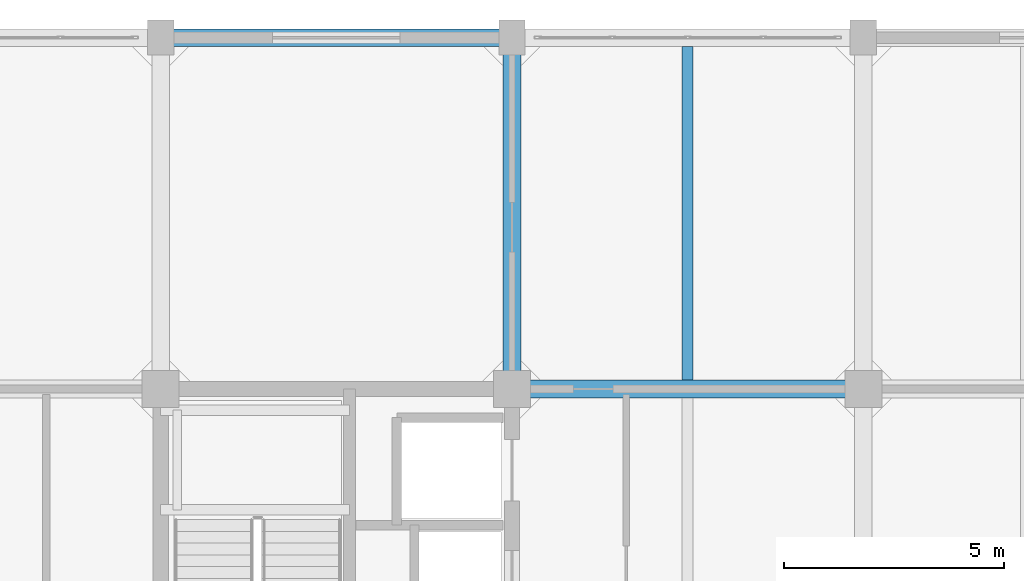
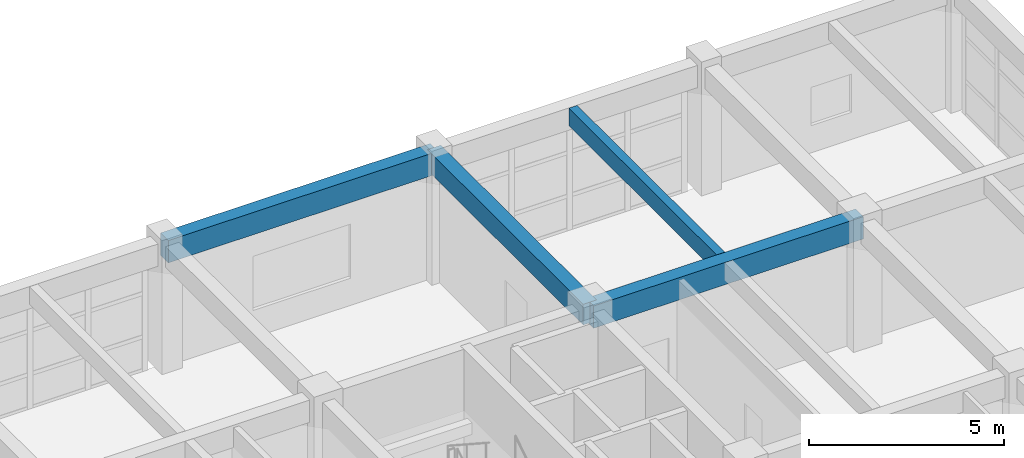
# One storey, part 16 of 27: 4 beams.
"""IFC4 building model written with IfcOpenShell, lengths in metres."""

import ifcopenshell
import ifcopenshell.guid

model = None  # the IFC model being written
_history = None  # IfcOwnerHistory: only IFC2X3 demands one
_inside = {}  # id of a spatial element -> (the spatial element, [elements in it])
_under = {}  # id of a project, library or spatial element -> (it, [spatial elements below it])
_declared = {}  # id of a project -> (the project, [libraries it declares])
_typed = {}  # id of a type object -> (the type object, [elements of that type])
_made_of = {}  # id of a material, layer set ... -> (it, [elements and type objects made of it])


def new_model(schema):
    """Start an empty IFC model of exactly this schema.

    Asked for "IFC4X3", IfcOpenShell would pick the latest addendum, in which some entities
    have other attributes; the version numbers below select the first issue.
    IFC2X3 requires an IfcOwnerHistory on every rooted entity: one is made here for all.
    """
    global model, _history
    if schema == "IFC4X3":
        model = ifcopenshell.file(schema_version=(4, 3, 0, 0))
    else:
        model = ifcopenshell.file(schema=schema)
    _inside.clear()
    _under.clear()
    _declared.clear()
    _typed.clear()
    _made_of.clear()
    _history = None
    if model.schema == "IFC2X3":
        org = make("IfcOrganization", Name="unknown")
        user = make(
            "IfcPersonAndOrganization",
            ThePerson=make("IfcPerson", FamilyName="unknown"),
            TheOrganization=org,
        )
        app = make(
            "IfcApplication",
            ApplicationDeveloper=org,
            Version="unknown",
            ApplicationFullName="unknown",
            ApplicationIdentifier="unknown",
        )
        _history = make(
            "IfcOwnerHistory",
            OwningUser=user,
            OwningApplication=app,
            ChangeAction="ADDED",
            CreationDate=0,
        )
    return model


def make(cls, **values):
    """One entity of the class cls with the attributes given. An attribute that is None is left unset."""
    return model.create_entity(
        cls, **{name: value for name, value in values.items() if value is not None}
    )


def rooted(cls, **values):
    """An entity with a GlobalId (a new one), such as an element, a storey or a relation."""
    return make(cls, GlobalId=ifcopenshell.guid.new(), OwnerHistory=_history, **values)


def si_unit(unit_type, name, prefix=None):
    """IfcSIUnit, for example si_unit("LENGTHUNIT", "METRE", prefix="MILLI")."""
    return make("IfcSIUnit", UnitType=unit_type, Prefix=prefix, Name=name)


def assignment(units):
    """IfcUnitAssignment: the units of a project."""
    return None if units is None else make("IfcUnitAssignment", Units=units)


def point(xyz):
    """IfcCartesianPoint."""
    return None if xyz is None else make("IfcCartesianPoint", Coordinates=xyz)


def direction(xyz):
    """IfcDirection."""
    return None if xyz is None else make("IfcDirection", DirectionRatios=xyz)


def frame(location, z_axis=None, x_axis=None):
    """IfcAxis2Placement3D, a coordinate frame: its origin and axes. An axis left out is left unset."""
    return make(
        "IfcAxis2Placement3D",
        Location=point(location),
        Axis=direction(z_axis),
        RefDirection=direction(x_axis),
    )


def frame_2d(location, x_axis=None):
    """IfcAxis2Placement2D, a coordinate frame in the plane: its origin and x axis."""
    return make(
        "IfcAxis2Placement2D", Location=point(location), RefDirection=direction(x_axis)
    )


def origin():
    """The frame at (0, 0, 0) with its axes left unset."""
    return frame((0.0, 0.0, 0.0))


def origin_2d():
    """The frame at (0, 0) in the plane with its x axis left unset."""
    return frame_2d((0.0, 0.0))


def place(relative_to, where):
    """IfcLocalPlacement: puts the frame where relative to a parent placement (None: the world)."""
    return make(
        "IfcLocalPlacement", PlacementRelTo=relative_to, RelativePlacement=where
    )


def context(
    kind, dimensions, precision=None, world=None, true_north=None, identifier=None
):
    """IfcGeometricRepresentationContext, for example the 3D "Model" context."""
    return make(
        "IfcGeometricRepresentationContext",
        ContextIdentifier=identifier,
        ContextType=kind,
        CoordinateSpaceDimension=dimensions,
        Precision=precision,
        WorldCoordinateSystem=world,
        TrueNorth=true_north,
    )


def subcontext(parent, identifier, kind, view, scale=None):
    """IfcGeometricRepresentationSubContext, for example "Body" below "Model"."""
    return make(
        "IfcGeometricRepresentationSubContext",
        ContextIdentifier=identifier,
        ContextType=kind,
        ParentContext=parent,
        TargetScale=scale,
        TargetView=view,
    )


def project(units=None, contexts=None):
    """IfcProject with its units and contexts."""
    return rooted(
        "IfcProject",
        Name="project",
        RepresentationContexts=contexts,
        UnitsInContext=assignment(units),
    )


def spatial(cls, under=None, at=None, **own):
    """A site, building, storey or space (cls), placed at a placement, below another one or the project."""
    s = rooted(cls, ObjectPlacement=at, **own)
    if under is not None:
        _under.setdefault(under.id(), (under, []))[1].append(s)
    return s


def profile(cls, at=None, kind="AREA", **sizes):
    """A parametric profile (cls). Its sizes go by their IFC names, for example OverallWidth=200.0."""
    return make(cls, ProfileType=kind, Position=at, **sizes)


def rectangle(**sizes):
    """IfcRectangleProfileDef."""
    return profile("IfcRectangleProfileDef", **sizes)


def extrude(swept, where, along, depth):
    """IfcExtrudedAreaSolid: the profile swept, set in the frame where, extruded along a direction by depth."""
    return make(
        "IfcExtrudedAreaSolid",
        SweptArea=swept,
        Position=where,
        ExtrudedDirection=direction(along),
        Depth=depth,
    )


def shape(context_of_items, identifier, shape_type, items):
    """IfcShapeRepresentation: the items that make up one representation, for example the "Body"."""
    return make(
        "IfcShapeRepresentation",
        ContextOfItems=context_of_items,
        RepresentationIdentifier=identifier,
        RepresentationType=shape_type,
        Items=items,
    )


def material(Name=None, Category=None):
    """IfcMaterial."""
    return make("IfcMaterial", Name=Name, Category=Category)


def material_profile(
    of_material, cross_section, Name=None, Category=None, Priority=None
):
    """IfcMaterialProfile: a cross section and its material."""
    return make(
        "IfcMaterialProfile",
        Name=Name,
        Material=of_material,
        Profile=cross_section,
        Priority=Priority,
        Category=Category,
    )


def profile_set(profiles, Name=None, composite=None):
    """IfcMaterialProfileSet."""
    return make(
        "IfcMaterialProfileSet",
        Name=Name,
        MaterialProfiles=profiles,
        CompositeProfile=composite,
    )


def made_of(thing, what):
    """Note that an element or type object is made of a material, layer set ...; save() writes the relation."""
    if what is not None:
        _made_of.setdefault(what.id(), (what, []))[1].append(thing)
    return thing


def type_object(cls, material=None, **own):
    """A type object (cls), such as IfcWallType, which elements share."""
    return made_of(rooted(cls, **own), material)


def element(
    cls,
    number,
    at=None,
    inside=None,
    cuts=None,
    type_object=None,
    material=None,
    context=None,
    identifier="Body",
    shape_type=None,
    held_by="IfcProductDefinitionShape",
    body=None,
    shapes=None,
    **own,
):
    """One element of the class cls, such as IfcWall. Its Tag is "e" and its number.

    at: its placement. inside: the storey or other place that contains it. cuts: it is an
    opening in that element (IfcRelVoidsElement). A single representation is given by context,
    identifier, shape_type and body (its items); several are given by shapes. held_by: the class
    of the entity that holds the representations. save() writes the other relations.
    """
    e = rooted(cls, Tag="e%d" % number, ObjectPlacement=at, **own)
    if body is not None:
        shapes = [shape(context, identifier, shape_type, body)]
    if shapes is not None:
        e.Representation = make(held_by, Representations=shapes)
    if inside is not None:
        _inside.setdefault(inside.id(), (inside, []))[1].append(e)
    if cuts is not None:
        rooted(
            "IfcRelVoidsElement", RelatingBuildingElement=cuts, RelatedOpeningElement=e
        )
    if type_object is not None:
        _typed.setdefault(type_object.id(), (type_object, []))[1].append(e)
    return made_of(e, material)


def aggregate(whole, parts):
    """IfcRelAggregates: a whole, such as a stair, and the parts it consists of."""
    return rooted("IfcRelAggregates", RelatingObject=whole, RelatedObjects=parts)


def save(model, path):
    """Write the relations noted so far, then the file.

    IfcRelAggregates (storeys below a building ...), IfcRelContainedInSpatialStructure (elements
    in a storey), IfcRelDefinesByType, IfcRelAssociatesMaterial and IfcRelDeclares: one each for
    every whole, place, type object, material and project.
    """
    for whole, parts in _under.values():
        aggregate(whole, parts)
    for where, things in _inside.values():
        rooted(
            "IfcRelContainedInSpatialStructure",
            RelatedElements=things,
            RelatingStructure=where,
        )
    for kind, things in _typed.values():
        rooted("IfcRelDefinesByType", RelatedObjects=things, RelatingType=kind)
    for what, things in _made_of.values():
        rooted("IfcRelAssociatesMaterial", RelatedObjects=things, RelatingMaterial=what)
    for by, libraries in _declared.values():
        rooted("IfcRelDeclares", RelatingContext=by, RelatedDefinitions=libraries)
    model.write(path)


model = new_model("IFC4")

# Units and contexts
model_context = context("Model", 3, precision=1e-05, world=origin(), true_north=direction((0.0, 1.0)))
body_context = subcontext(model_context, "Body", "Model", "MODEL_VIEW")
ifc_project = project(units=[si_unit("LENGTHUNIT", "METRE"), si_unit("AREAUNIT", "SQUARE_METRE"), si_unit("VOLUMEUNIT", "CUBIC_METRE"), si_unit("PLANEANGLEUNIT", "RADIAN"), si_unit("MASSUNIT", "GRAM", prefix="KILO")], contexts=[model_context])

# Site, building, storey
site_placement = place(None, origin())
site = spatial("IfcSite", under=ifc_project, at=site_placement, CompositionType="ELEMENT")
building_placement = place(site_placement, origin())
building = spatial("IfcBuilding", under=site, at=building_placement, Name="Canggui Botanical Conservatory", CompositionType="ELEMENT")
storey_placement = place(building_placement, frame((0.0, 0.0, 31.800048828125)))
storey = spatial("IfcBuildingStorey", under=building, at=storey_placement, Name="L08", CompositionType="ELEMENT", Elevation=31.800048828125)

# Beams
ifc_material = material(Name="Concrete C35", Category="concrete")
ifc_material_profile_1 = material_profile(ifc_material, rectangle(XDim=0.25, YDim=0.550048828125, at=origin_2d()), Name="RB 250x550")
ifc_profile_set_1 = profile_set([ifc_material_profile_1], Name="Concrete C35")
beam_type_1 = type_object("IfcBeamType", Name="BM-JST03", PredefinedType="JOIST", material=ifc_profile_set_1)
beam_1_placement = place(storey_placement, frame((166.0, 66.205078125, 3.704833984375), z_axis=(0.0, 1.0, 0.0), x_axis=(-1.0, 0.0, 0.0)))
element("IfcBeam", 1, at=beam_1_placement, inside=storey, type_object=beam_type_1, Name="Secondary Floor Joist L08-4-5", PredefinedType="JOIST", context=body_context, shape_type="SweptSolid", body=[
    extrude(rectangle(XDim=0.25, YDim=0.550048828125, at=origin_2d()), origin(), (0.0, 0.0, 1.0), 7.58984375),
])
ifc_material_profile_2 = material_profile(ifc_material, rectangle(XDim=0.39990234375, YDim=0.699951171875, at=origin_2d()), Name="RB 400x700")
ifc_profile_set_2 = profile_set([ifc_material_profile_2], Name="Concrete C35")
beam_type_2 = type_object("IfcBeamType", Name="BM-KL11", PredefinedType="BEAM", material=ifc_profile_set_2)
for number, where, z_axis, x_axis, name in (
    (2, (162.0, 66.0, 3.6298828125), (1.0, 0.0, 0.0), (0.0, 1.0, 0.0), "Frame Girder L08 Y66-4"),
    (3, (154.0, 74.0, 3.6298828125), (1.0, 0.0, 0.0), (0.0, 1.0, 0.0), "Frame Girder L08 Y74-3"),
):
    element("IfcBeam", number, at=place(storey_placement, frame(where, z_axis=z_axis, x_axis=x_axis)), inside=storey, type_object=beam_type_2, Name=name, PredefinedType="BEAM", context=body_context, shape_type="SweptSolid", body=[
        extrude(rectangle(XDim=0.39990234375, YDim=0.699951171875, at=origin_2d()), origin(), (0.0, 0.0, 1.0), 8.0),
    ])
ifc_material_profile_3 = material_profile(ifc_material, rectangle(XDim=0.39990234375, YDim=0.64990234375, at=origin_2d()), Name="RB 400x650")
ifc_profile_set_3 = profile_set([ifc_material_profile_3], Name="Concrete C35")
beam_type_3 = type_object("IfcBeamType", Name="BM-KL12", PredefinedType="BEAM", material=ifc_profile_set_3)
beam_2_placement = place(storey_placement, frame((162.0, 66.0, 3.655029296875), z_axis=(0.0, 1.0, 0.0), x_axis=(-1.0, 0.0, 0.0)))
element("IfcBeam", 4, at=beam_2_placement, inside=storey, type_object=beam_type_3, Name="Frame Girder L08 X162-5", PredefinedType="BEAM", context=body_context, shape_type="SweptSolid", body=[
    extrude(rectangle(XDim=0.39990234375, YDim=0.64990234375, at=origin_2d()), origin(), (0.0, 0.0, 1.0), 8.0),
])

save(model, "model.ifc")
